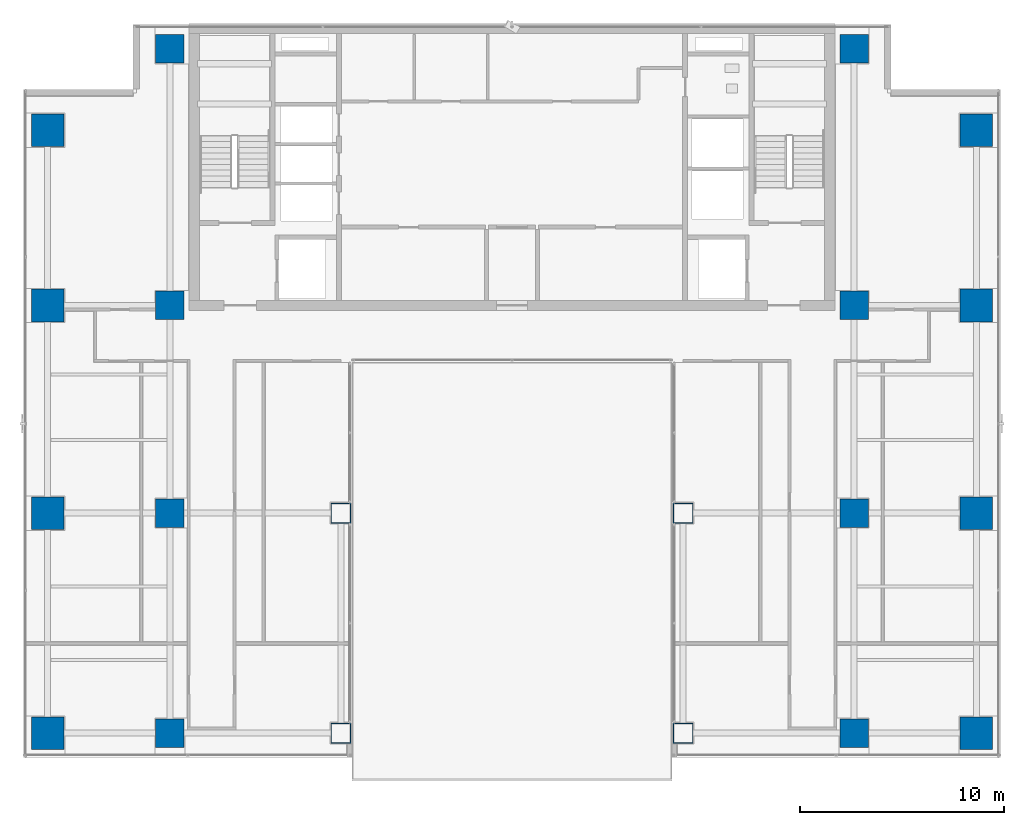
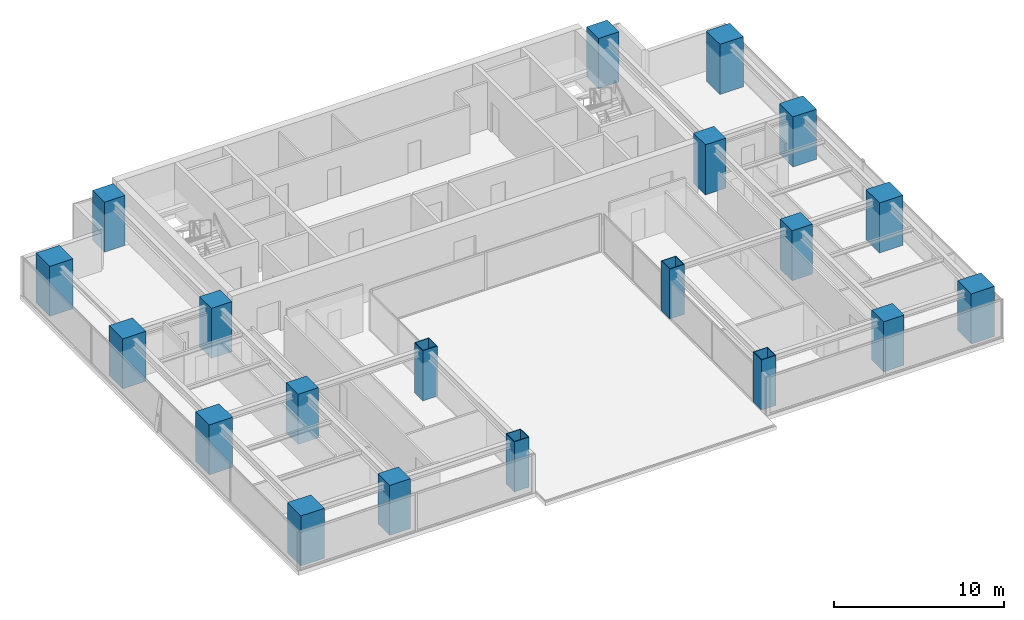
# One storey, part 1 of 30: 20 columns.
"""IFC4 building model written with IfcOpenShell, lengths in metres."""

from ifc_helpers import new_model, si_unit, direction, frame, origin, origin_2d, place, context, subcontext, project, spatial, rectangle, hollow_rectangle, extrude, source, transform, mapped, material, material_profile, profile_set, type_object, element, save


model = new_model("IFC4")

# Units and contexts
model_context = context("Model", 3, precision=1e-05, world=origin(), true_north=direction((0.0, 1.0)))
body_context = subcontext(model_context, "Body", "Model", "MODEL_VIEW")
ifc_project = project(units=[si_unit("LENGTHUNIT", "METRE"), si_unit("AREAUNIT", "SQUARE_METRE"), si_unit("VOLUMEUNIT", "CUBIC_METRE"), si_unit("PLANEANGLEUNIT", "RADIAN"), si_unit("MASSUNIT", "GRAM", prefix="KILO")], contexts=[model_context])

# Site, building, storey
site_placement = place(None, origin())
site = spatial("IfcSite", under=ifc_project, at=site_placement, CompositionType="ELEMENT")
building_placement = place(site_placement, origin())
building = spatial("IfcBuilding", under=site, at=building_placement, Name="Sumidabori Civic Tower", CompositionType="ELEMENT")
storey_placement = place(building_placement, frame((0.0, 0.0, 196.39990234375)))
storey = spatial("IfcBuildingStorey", under=building, at=storey_placement, Name="L50", CompositionType="ELEMENT", Elevation=196.39990234375)

# Columns
ifc_material_1 = material(Name="Concrete C60/75", Category="concrete")
ifc_material_profile_1 = material_profile(ifc_material_1, rectangle(XDim=1.60009765625, YDim=1.60009765625, at=origin_2d()), Name="RC 1600x1600")
ifc_profile_set_1 = profile_set([ifc_material_profile_1], Name="Concrete C60/75")
column_type_1 = type_object("IfcColumnType", Name="CL-MEGA-1600", PredefinedType="COLUMN", material=ifc_profile_set_1)
shared_shape_1 = source(origin(), body_context, "Body", "SweptSolid", [
    extrude(rectangle(XDim=1.60009765625, YDim=1.60009765625, at=origin_2d()), origin(), (0.0, 0.0, 1.0), 3.60009765625),
])
for number, where, z_axis, x_axis, name in (
    (1, (-22.800048828125, -10.800048828125, 0.0), (0.0, 0.0, 1.0), (1.0, 0.0, 0.0), "Column MC-W23-Y11S L50"),
    (2, (-22.800048828125, 0.0, 0.0), (0.0, 0.0, 1.0), (1.0, 0.0, 0.0), "Column MC-W23-Y00 L50"),
    (3, (-22.800048828125, 10.199951171875, 0.0), (0.0, 0.0, 1.0), (1.0, 0.0, 0.0), "Column MC-W23-Y10N L50"),
    (4, (-22.800048828125, 18.800048828125, 0.0), (0.0, 0.0, 1.0), (1.0, 0.0, 0.0), "Column MC-W23-Y19N L50"),
    (5, (22.800048828125, -10.800048828125, 0.0), (0.0, 0.0, 1.0), (1.0, 0.0, 0.0), "Column MC-E23-Y11S L50"),
    (6, (22.800048828125, 0.0, 0.0), (0.0, 0.0, 1.0), (1.0, 0.0, 0.0), "Column MC-E23-Y00 L50"),
    (7, (22.800048828125, 10.199951171875, 0.0), (0.0, 0.0, 1.0), (1.0, 0.0, 0.0), "Column MC-E23-Y10N L50"),
    (8, (22.800048828125, 18.800048828125, 0.0), (0.0, 0.0, 1.0), (1.0, 0.0, 0.0), "Column MC-E23-Y19N L50"),
):
    element("IfcColumn", number, at=place(storey_placement, frame(where, z_axis=z_axis, x_axis=x_axis)), inside=storey, type_object=column_type_1, Name=name, PredefinedType="COLUMN", context=body_context, shape_type="MappedRepresentation", body=[
        mapped(shared_shape_1, transform((0.0, 0.0, 0.0), x_axis=(1.0, 0.0, 0.0), y_axis=(0.0, 1.0, 0.0), z_axis=(0.0, 0.0, 1.0), scale=1.0)),
    ])
ifc_material_2 = material(Name="Steel SM570", Category="steel")
ifc_material_profile_2 = material_profile(ifc_material_2, hollow_rectangle(XDim=1.0, YDim=1.0, WallThickness=0.044921875, at=origin_2d()), Name="SHS 1000x1000x45")
ifc_profile_set_2 = profile_set([ifc_material_profile_2], Name="Steel SM570")
column_type_2 = type_object("IfcColumnType", Name="CL-PORTAL-SHS1000", PredefinedType="COLUMN", material=ifc_profile_set_2)
shared_shape_2 = source(origin(), body_context, "Body", "SweptSolid", [
    extrude(hollow_rectangle(XDim=1.0, YDim=1.0, WallThickness=0.044921875, at=origin_2d()), origin(), (0.0, 0.0, 1.0), 3.60009765625),
])
for number, where, z_axis, x_axis, name in (
    (9, (-8.39990234375, 0.0, 0.0), (0.0, 0.0, 1.0), (1.0, 0.0, 0.0), "Column MC-W08-Y00 L50"),
    (10, (-8.39990234375, -10.800048828125, 0.0), (0.0, 0.0, 1.0), (1.0, 0.0, 0.0), "Column MC-W08-Y11S L50"),
    (11, (8.39990234375, 0.0, 0.0), (0.0, 0.0, 1.0), (1.0, 0.0, 0.0), "Column MC-E08-Y00 L50"),
    (12, (8.39990234375, -10.800048828125, 0.0), (0.0, 0.0, 1.0), (1.0, 0.0, 0.0), "Column MC-E08-Y11S L50"),
):
    element("IfcColumn", number, at=place(storey_placement, frame(where, z_axis=z_axis, x_axis=x_axis)), inside=storey, type_object=column_type_2, Name=name, PredefinedType="COLUMN", context=body_context, shape_type="MappedRepresentation", body=[
        mapped(shared_shape_2, transform((0.0, 0.0, 0.0), x_axis=(1.0, 0.0, 0.0), y_axis=(0.0, 1.0, 0.0), z_axis=(0.0, 0.0, 1.0), scale=1.0)),
    ])
ifc_material_profile_3 = material_profile(ifc_material_1, rectangle(XDim=1.39990234375, YDim=1.39990234375, at=origin_2d()), Name="RC 1400x1400")
ifc_profile_set_3 = profile_set([ifc_material_profile_3], Name="Concrete C60/75")
column_type_3 = type_object("IfcColumnType", Name="CL-MEGA-1400", PredefinedType="COLUMN", material=ifc_profile_set_3)
shared_shape_3 = source(origin(), body_context, "Body", "SweptSolid", [
    extrude(rectangle(XDim=1.39990234375, YDim=1.39990234375, at=origin_2d()), origin(), (0.0, 0.0, 1.0), 3.60009765625),
])
for number, where, z_axis, x_axis, name in (
    (13, (-16.800048828125, -10.800048828125, 0.0), (0.0, 0.0, 1.0), (1.0, 0.0, 0.0), "Column MC-W16-Y11S L50"),
    (14, (-16.800048828125, 0.0, 0.0), (0.0, 0.0, 1.0), (1.0, 0.0, 0.0), "Column MC-W16-Y00 L50"),
    (15, (-16.800048828125, 10.199951171875, 0.0), (0.0, 0.0, 1.0), (1.0, 0.0, 0.0), "Column MC-W16-Y10N L50"),
    (16, (-16.800048828125, 22.800048828125, 0.0), (0.0, 0.0, 1.0), (1.0, 0.0, 0.0), "Column MC-W16-Y23N L50"),
    (17, (16.800048828125, -10.800048828125, 0.0), (0.0, 0.0, 1.0), (1.0, 0.0, 0.0), "Column MC-E16-Y11S L50"),
    (18, (16.800048828125, 0.0, 0.0), (0.0, 0.0, 1.0), (1.0, 0.0, 0.0), "Column MC-E16-Y00 L50"),
    (19, (16.800048828125, 10.199951171875, 0.0), (0.0, 0.0, 1.0), (1.0, 0.0, 0.0), "Column MC-E16-Y10N L50"),
    (20, (16.800048828125, 22.800048828125, 0.0), (0.0, 0.0, 1.0), (1.0, 0.0, 0.0), "Column MC-E16-Y23N L50"),
):
    element("IfcColumn", number, at=place(storey_placement, frame(where, z_axis=z_axis, x_axis=x_axis)), inside=storey, type_object=column_type_3, Name=name, PredefinedType="COLUMN", context=body_context, shape_type="MappedRepresentation", body=[
        mapped(shared_shape_3, transform((0.0, 0.0, 0.0), x_axis=(1.0, 0.0, 0.0), y_axis=(0.0, 1.0, 0.0), z_axis=(0.0, 0.0, 1.0), scale=1.0)),
    ])

save(model, "model.ifc")
